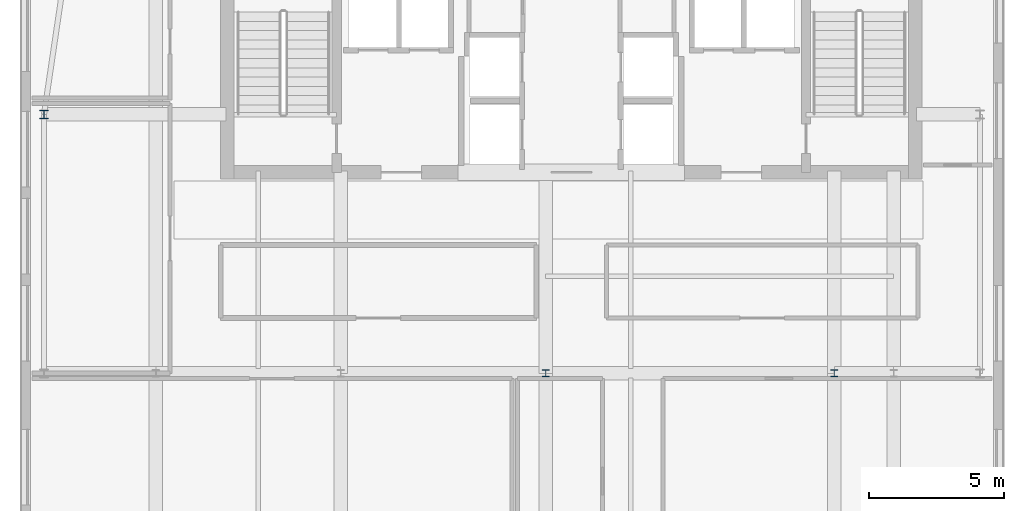
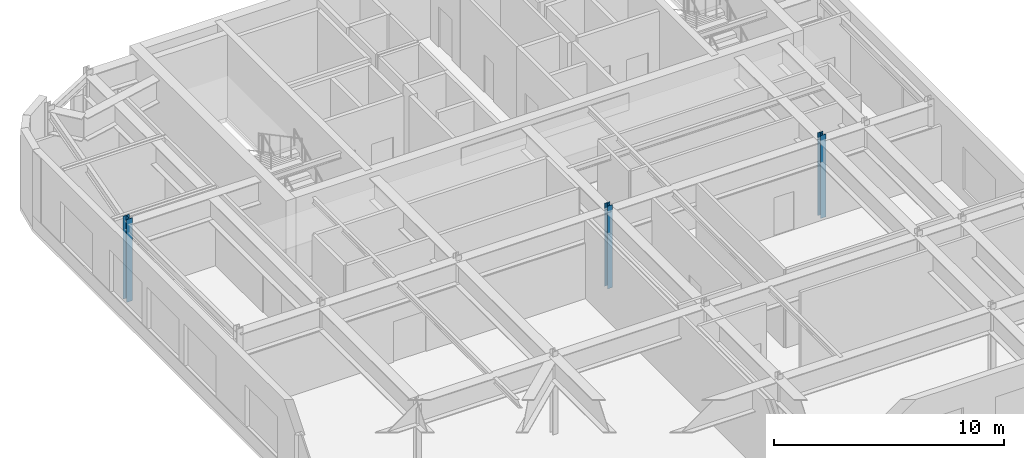
# One storey, part 2 of 13: 3 columns.
"""IFC4 building model written with IfcOpenShell, lengths in metres."""

from ifc_helpers import new_model, si_unit, direction, frame, origin, origin_2d, place, context, subcontext, project, spatial, i_section, extrude, source, transform, mapped, material, material_profile, profile_set, type_object, type_shapes, element, save


model = new_model("IFC4")

# Units and contexts
model_context = context("Model", 3, precision=1e-05, world=origin(), true_north=direction((0.0, 1.0)))
body_context = subcontext(model_context, "Body", "Model", "MODEL_VIEW")
ifc_project = project(units=[si_unit("LENGTHUNIT", "METRE"), si_unit("AREAUNIT", "SQUARE_METRE"), si_unit("VOLUMEUNIT", "CUBIC_METRE"), si_unit("PLANEANGLEUNIT", "RADIAN"), si_unit("MASSUNIT", "GRAM", prefix="KILO")], contexts=[model_context])

# Site, building, storey
site_placement = place(None, origin())
site = spatial("IfcSite", under=ifc_project, at=site_placement, CompositionType="ELEMENT")
building_placement = place(site_placement, origin())
building = spatial("IfcBuilding", under=site, at=building_placement, Name="Tolvann Quenvar Hotel", CompositionType="ELEMENT")
storey_placement = place(building_placement, frame((0.0, 0.0, 286.550048828125)))
storey = spatial("IfcBuildingStorey", under=building, at=storey_placement, Name="L76", CompositionType="ELEMENT", Elevation=286.550048828125)

# Columns
ifc_material = material(Name="Steel Grade 350", Category="steel")
ifc_material_profile_1 = material_profile(ifc_material, i_section(OverallWidth=0.306884765625, OverallDepth=0.31494140625, WebThickness=0.011962890625, FlangeThickness=0.018798828125, FilletRadius=0.0166015625, at=origin_2d()), Name="310UC118")
ifc_profile_set_1 = profile_set([ifc_material_profile_1], Name="Steel Grade 350")
column_type_1 = type_object("IfcColumnType", Name="COL_310UC118", PredefinedType="COLUMN", material=ifc_profile_set_1)
shared_shape_1 = source(origin(), body_context, "Body", "SweptSolid", [
    extrude(i_section(OverallWidth=0.306884765625, OverallDepth=0.31494140625, WebThickness=0.011962890625, FlangeThickness=0.018798828125, FilletRadius=0.0166015625, at=origin_2d()), origin(), (0.0, 0.0, 1.0), 4.39990234375),
])
type_shapes(column_type_1, [shared_shape_1])
column_placement = place(storey_placement, frame((3.449951171875, 34.0, 0.0), z_axis=(0.0, 0.0, 1.0), x_axis=(1.0, 0.0, 0.0)))
element("IfcColumn", 1, at=column_placement, inside=storey, type_object=column_type_1, Name="Column BD6 (L76)", PredefinedType="COLUMN", context=body_context, shape_type="MappedRepresentation", body=[
    mapped(shared_shape_1, transform((0.0, 0.0, 0.0), x_axis=(1.0, 0.0, 0.0), y_axis=(0.0, 1.0, 0.0), z_axis=(0.0, 0.0, 1.0), scale=1.0)),
])
ifc_material_profile_2 = material_profile(ifc_material, i_section(OverallWidth=0.256103515625, OverallDepth=0.260009765625, WebThickness=0.010498046875, FlangeThickness=0.017333984375, FilletRadius=0.013916015625, at=origin_2d()), Name="250UC90")
ifc_profile_set_2 = profile_set([ifc_material_profile_2], Name="Steel Grade 350")
column_type_2 = type_object("IfcColumnType", Name="COL_250UC90", PredefinedType="COLUMN", material=ifc_profile_set_2)
shared_shape_2 = source(origin(), body_context, "Body", "SweptSolid", [
    extrude(i_section(OverallWidth=0.256103515625, OverallDepth=0.260009765625, WebThickness=0.010498046875, FlangeThickness=0.017333984375, FilletRadius=0.013916015625, at=origin_2d()), origin(), (0.0, 0.0, 1.0), 4.39990234375),
])
type_shapes(column_type_2, [shared_shape_2])
for number, where, z_axis, x_axis, name in (
    (2, (22.050048828125, 24.39990234375, 0.0), (0.0, 0.0, 1.0), (1.0, 0.0, 0.0), "Column E5 (L76)"),
    (3, (32.75, 24.39990234375, 0.0), (0.0, 0.0, 1.0), (1.0, 0.0, 0.0), "Column FP5 (L76)"),
):
    element("IfcColumn", number, at=place(storey_placement, frame(where, z_axis=z_axis, x_axis=x_axis)), inside=storey, type_object=column_type_2, Name=name, PredefinedType="COLUMN", context=body_context, shape_type="MappedRepresentation", body=[
        mapped(shared_shape_2, transform((0.0, 0.0, 0.0), x_axis=(1.0, 0.0, 0.0), y_axis=(0.0, 1.0, 0.0), z_axis=(0.0, 0.0, 1.0), scale=1.0)),
    ])

save(model, "model.ifc")
